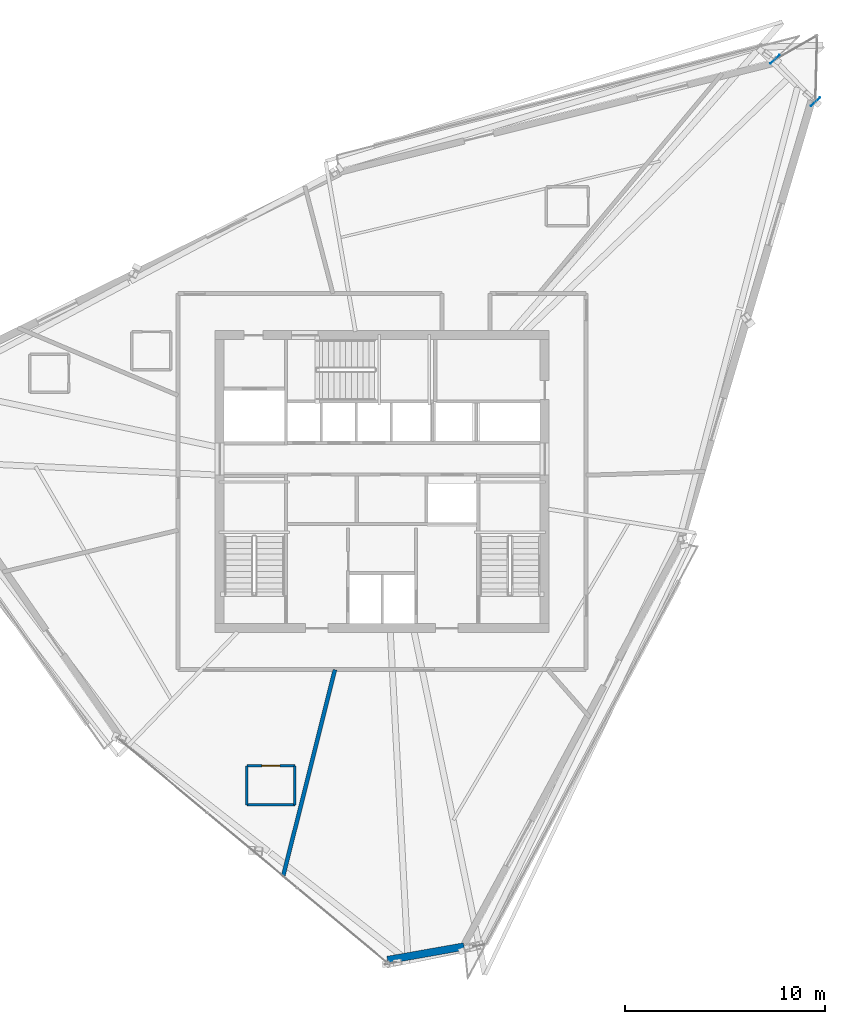
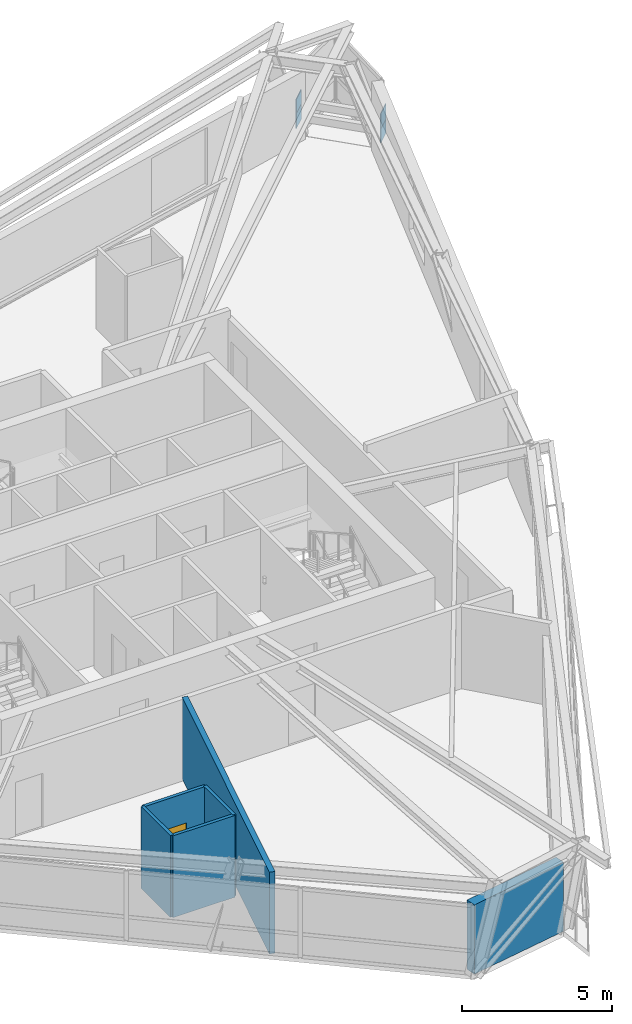
# One storey, part 8 of 14: 6 walls, 4 plates, 1 door, 1 opening.
"""IFC4 building model written with IfcOpenShell, lengths in metres."""

from ifc_helpers import new_model, si_unit, direction, frame, frame_2d, origin, origin_2d, place, context, subcontext, project, spatial, rectangle, extrude, source, transform, mapped, material, layer, layer_set, type_object, type_shapes, element, fill, save


model = new_model("IFC4")

# Units and contexts
model_context = context("Model", 3, precision=1e-05, world=origin(), true_north=direction((0.0, 1.0)))
body_context = subcontext(model_context, "Body", "Model", "MODEL_VIEW")
ifc_project = project(units=[si_unit("LENGTHUNIT", "METRE"), si_unit("AREAUNIT", "SQUARE_METRE"), si_unit("VOLUMEUNIT", "CUBIC_METRE"), si_unit("PLANEANGLEUNIT", "RADIAN"), si_unit("MASSUNIT", "GRAM", prefix="KILO")], contexts=[model_context])

# Site, building, storey
site_placement = place(None, origin())
site = spatial("IfcSite", under=ifc_project, at=site_placement, CompositionType="ELEMENT")
building_placement = place(site_placement, origin())
building = spatial("IfcBuilding", under=site, at=building_placement, Name="Olszyna Solenne Hotel", CompositionType="ELEMENT")
storey_placement = place(building_placement, frame((0.0, 0.0, 220.25)))
storey = spatial("IfcBuildingStorey", under=building, at=storey_placement, Name="L58", CompositionType="ELEMENT", Elevation=220.25)

# Plates
ifc_material_1 = material(Name="Steel S460M", Category="steel")
plate_type = type_object("IfcPlateType", Name="GP-CAP2", PredefinedType="USERDEFINED", material=ifc_material_1)
shared_shape_1 = source(origin(), body_context, "Body", "SweptSolid", [
    extrude(rectangle(XDim=0.030029296875, YDim=0.6201171875, at=origin_2d()), origin(), (0.0, 0.0, 1.0), 0.6201171875),
])
for number, where, z_axis, x_axis, name in (
    (1, (59.666015625, 45.587158203125, 1.0400390625), (0.0, 0.0, 1.0), (-0.692772764861, 0.721155944485, 0.0), "Hollow section end-cap plate GP-CAP2 CP-PR-M-L58-PR1-1"),
    (2, (57.630859375, 47.70556640625, 1.0400390625), (0.0, 0.0, 1.0), (-0.692772764861, 0.721155944485, 0.0), "Hollow section end-cap plate GP-CAP2 CP-PR-M-L58-PR1-2"),
    (3, (59.666015625, 45.587158203125, 0.469970703125), (0.0, 0.0, 1.0), (-0.692772764861, 0.721155944485, 0.0), "Hollow section end-cap plate GP-CAP2 CP-PR-M-L58-PR2-1"),
    (4, (57.630859375, 47.70556640625, 0.469970703125), (0.0, 0.0, 1.0), (-0.692772764861, 0.721155944485, 0.0), "Hollow section end-cap plate GP-CAP2 CP-PR-M-L58-PR2-2"),
):
    element("IfcPlate", number, at=place(storey_placement, frame(where, z_axis=z_axis, x_axis=x_axis)), inside=storey, type_object=plate_type, Name=name, ObjectType="GUSSET_PLATE", PredefinedType="USERDEFINED", context=body_context, shape_type="MappedRepresentation", body=[
        mapped(shared_shape_1, transform((0.0, 0.0, 0.0), x_axis=(1.0, 0.0, 0.0), y_axis=(0.0, 1.0, 0.0), z_axis=(0.0, 0.0, 1.0), scale=1.0)),
    ])

# Walls
ifc_material_2 = material(Name="Terracotta cladding on precast concrete C45/55", Category="masonry")
ifc_layer_1 = layer(ifc_material_2, 0.3798828125, Name="Terracotta cladding on precast concrete C45/55")
ifc_layer_set_1 = layer_set([ifc_layer_1], Name="Terracotta cladding on precast concrete C45/55")
wall_type_1 = type_object("IfcWallType", Name="WL-EX380", PredefinedType="SOLIDWALL", material=ifc_layer_set_1)
wall_1_placement = place(storey_placement, frame((42.094970703125, 3.365478515625, 0.0), z_axis=(0.0, 0.0, 1.0), x_axis=(-0.984808873563, -0.173641822588, 0.0)))
element("IfcWall", 5, at=wall_1_placement, inside=storey, type_object=wall_type_1, Name="Exterior terracotta-precast frame wall WL-EX380 EW-L58-02", PredefinedType="SOLIDWALL", context=body_context, shape_type="SweptSolid", body=[
    extrude(rectangle(XDim=3.882080078125, YDim=0.3798828125, at=frame_2d((1.94091796875, 0.0))), origin(), (0.0, 0.0, 1.0), 2.822021484375),
])
ifc_material_3 = material(Name="Acoustic gypsum partition", Category="gypsum")
ifc_layer_2 = layer(ifc_material_3, 0.125, Name="Acoustic gypsum partition")
ifc_layer_set_2 = layer_set([ifc_layer_2], Name="Acoustic gypsum partition")
wall_type_2 = type_object("IfcWallType", Name="WL-PT125", PredefinedType="PARTITIONING", material=ifc_layer_set_2)
wall_2_placement = place(storey_placement, frame((33.637939453125, 10.44091796875, 0.0), z_axis=(0.0, 0.0, 1.0), x_axis=(0.0, 1.0, 0.0)))
element("IfcWall", 6, at=wall_2_placement, inside=storey, type_object=wall_type_2, Name="Interior acoustic partition WL-PT125 PW-L58-3229", PredefinedType="PARTITIONING", context=body_context, shape_type="SweptSolid", body=[
    extrude(rectangle(XDim=1.9501953125, YDim=0.125, at=frame_2d((0.97509765625, 0.0))), origin(), (0.0, 0.0, 1.0), 3.330078125),
])

# Wall, opening, door
wall_3_placement = place(storey_placement, frame((33.637939453125, 12.39111328125, 0.0), z_axis=(0.0, 0.0, 1.0), x_axis=(-1.0, 0.0, 0.0)))
wall_3 = element("IfcWall", 7, at=wall_3_placement, inside=storey, type_object=wall_type_2, Name="Interior acoustic partition WL-PT125 PW-L58-3230", PredefinedType="PARTITIONING", context=body_context, shape_type="SweptSolid", body=[
    extrude(rectangle(XDim=2.39990234375, YDim=0.125, at=frame_2d((1.199951171875, 0.0))), origin(), (0.0, 0.0, 1.0), 3.330078125),
])
opening_placement = place(wall_3_placement, frame((0.75, 0.0, 0.0)))
opening = element("IfcOpeningElement", 8, at=opening_placement, cuts=wall_3, Name="Opening DR-L58-0782", PredefinedType="OPENING", context=body_context, shape_type="SweptSolid", body=[
    extrude(rectangle(XDim=0.89990234375, YDim=2.10009765625, at=frame_2d((0.449951171875, 1.050048828125))), frame((0.0, 0.072509765625, 0.0), z_axis=(0.0, -1.0, 0.0), x_axis=(1.0, 0.0, 0.0)), (0.0, 0.0, 1.0), 0.14501953125),
])
ifc_material_4 = material(Name="Timber hardwood", Category="wood")
door_type = type_object("IfcDoorType", Name="DR-WC1", OperationType="NOTDEFINED", PredefinedType="DOOR", material=ifc_material_4)
shared_shape_2 = source(origin(), body_context, "Body", "SweptSolid", [
    extrude(rectangle(XDim=0.89990234375, YDim=2.10009765625, at=frame_2d((0.449951171875, 1.050048828125))), frame((0.0, 0.02490234375, 0.0), z_axis=(0.0, -1.0, 0.0), x_axis=(1.0, 0.0, 0.0)), (0.0, 0.0, 1.0), 0.050048828125),
])
type_shapes(door_type, [shared_shape_2])
door_placement = place(opening_placement, origin())
door = element("IfcDoor", 9, at=door_placement, inside=storey, type_object=door_type, Name="En-Suite Bathroom Door DR-L58-0782", OperationType="SINGLE_SWING_RIGHT", OverallHeight=2.10009765625, OverallWidth=0.89990234375, PredefinedType="DOOR", context=body_context, shape_type="MappedRepresentation", body=[
    mapped(shared_shape_2, transform((0.0, 0.0, 0.0), x_axis=(1.0, 0.0, 0.0), y_axis=(0.0, 1.0, 0.0), z_axis=(0.0, 0.0, 1.0), scale=1.0)),
])
fill(opening, door)

# Walls
wall_4_placement = place(storey_placement, frame((31.238037109375, 12.39111328125, 0.0), z_axis=(0.0, 0.0, 1.0), x_axis=(0.0, -1.0, 0.0)))
element("IfcWall", 10, at=wall_4_placement, inside=storey, type_object=wall_type_2, Name="Interior acoustic partition WL-PT125 PW-L58-3231", PredefinedType="PARTITIONING", context=body_context, shape_type="SweptSolid", body=[
    extrude(rectangle(XDim=1.9501953125, YDim=0.125, at=frame_2d((0.97509765625, 0.0))), origin(), (0.0, 0.0, 1.0), 3.330078125),
])
wall_5_placement = place(storey_placement, frame((31.238037109375, 10.44091796875, 0.0), z_axis=(0.0, 0.0, 1.0), x_axis=(1.0, 0.0, 0.0)))
element("IfcWall", 11, at=wall_5_placement, inside=storey, type_object=wall_type_2, Name="Interior acoustic partition WL-PT125 PW-L58-3232", PredefinedType="PARTITIONING", context=body_context, shape_type="SweptSolid", body=[
    extrude(rectangle(XDim=2.39990234375, YDim=0.125, at=frame_2d((1.199951171875, 0.0))), origin(), (0.0, 0.0, 1.0), 3.330078125),
])
ifc_layer_3 = layer(ifc_material_3, 0.199951171875, Name="Acoustic gypsum partition")
ifc_layer_set_3 = layer_set([ifc_layer_3], Name="Acoustic gypsum partition")
wall_type_3 = type_object("IfcWallType", Name="WL-PT200", PredefinedType="PARTITIONING", material=ifc_layer_set_3)
wall_6_placement = place(storey_placement, frame((35.642578125, 17.199951171875, 0.0), z_axis=(0.0, 0.0, 1.0), x_axis=(-0.243255959475, -0.969962132343, 0.0)))
element("IfcWall", 12, at=wall_6_placement, inside=storey, type_object=wall_type_3, Name="Interior acoustic partition WL-PT200 PW-L58-3223", PredefinedType="PARTITIONING", context=body_context, shape_type="SweptSolid", body=[
    extrude(rectangle(XDim=10.60546875, YDim=0.199951171875, at=frame_2d((5.302734375, 0.0))), origin(), (0.0, 0.0, 1.0), 3.330078125),
])

save(model, "model.ifc")
